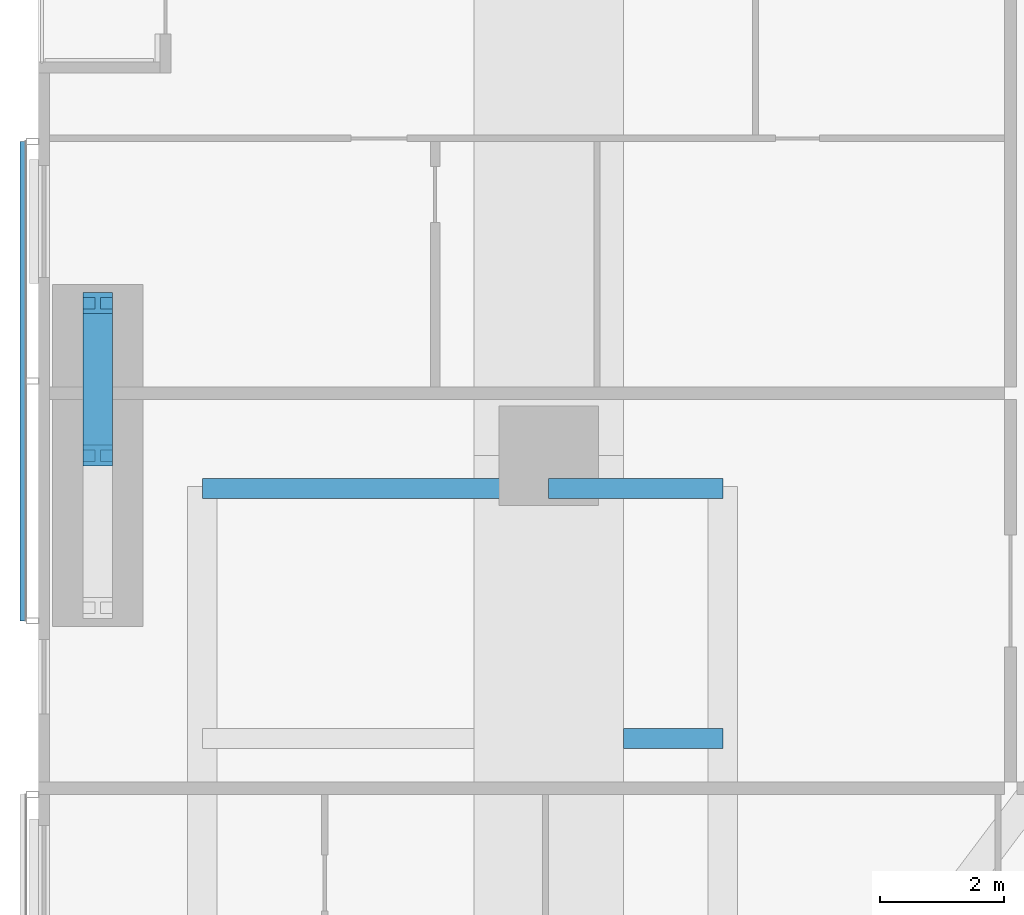
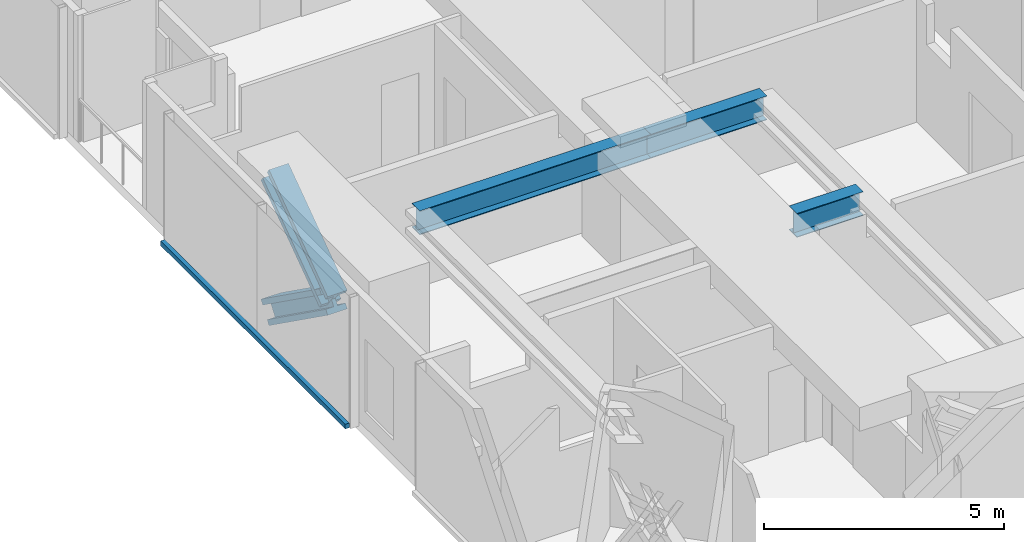
# One storey, part 3 of 22: 3 beams, 3 members, 1 element without a shape of its own.
"""IFC4 building model written with IfcOpenShell, lengths in metres."""

from ifc_helpers import new_model, si_unit, direction, frame, origin, origin_2d, place, context, subcontext, project, spatial, rectangle, i_section, extrude, material, material_profile, profile_set, type_object, element, aggregate, save


model = new_model("IFC4")

# Units and contexts
model_context = context("Model", 3, precision=1e-05, world=origin(), true_north=direction((0.0, 1.0)))
body_context = subcontext(model_context, "Body", "Model", "MODEL_VIEW")
ifc_project = project(units=[si_unit("LENGTHUNIT", "METRE"), si_unit("AREAUNIT", "SQUARE_METRE"), si_unit("VOLUMEUNIT", "CUBIC_METRE"), si_unit("PLANEANGLEUNIT", "RADIAN"), si_unit("MASSUNIT", "GRAM", prefix="KILO")], contexts=[model_context])

# Site, building, storey
site_placement = place(None, origin())
site = spatial("IfcSite", under=ifc_project, at=site_placement, CompositionType="ELEMENT")
building_placement = place(site_placement, origin())
building = spatial("IfcBuilding", under=site, at=building_placement, Name="Jalousie Tower", CompositionType="ELEMENT")
storey_placement = place(building_placement, frame((0.0, 0.0, 71.25)))
storey = spatial("IfcBuildingStorey", under=building, at=storey_placement, Name="L19", CompositionType="ELEMENT", Elevation=71.25)

# Members
ifc_material_1 = material(Name="Steel ASTM A992 Grade 50", Category="steel")
ifc_material_profile_1 = material_profile(ifc_material_1, i_section(OverallWidth=0.472412109375, OverallDepth=0.5791015625, WebThickness=0.094970703125, FlangeThickness=0.1298828125, at=origin_2d()), Name="W14X808")
ifc_profile_set_1 = profile_set([ifc_material_profile_1], Name="Steel ASTM A992 Grade 50")
member_type_1 = type_object("IfcMemberType", Name="PERIMETER BRACE W14X808", PredefinedType="BRACE", material=ifc_profile_set_1)
for number, where, z_axis, x_axis, name in (
    (1, (2.949951171875, 13.0, 1.14990234375), (0.0, 0.813727992185, 0.581245864273), (-1.0, 0.0, 0.0), "Perimeter brace 14 L19 part 2"),
    (2, (2.949951171875, 15.449951171875, -0.60009765625), (0.0, -0.813727992185, 0.581245864273), (1.0, 0.0, 0.0), "Perimeter brace 14 L19 part 3"),
):
    element("IfcMember", number, at=place(storey_placement, frame(where, z_axis=z_axis, x_axis=x_axis)), inside=storey, type_object=member_type_1, Name=name, PredefinedType="BRACE", context=body_context, shape_type="SweptSolid", body=[
        extrude(i_section(OverallWidth=0.472412109375, OverallDepth=0.5791015625, WebThickness=0.094970703125, FlangeThickness=0.1298828125, at=origin_2d()), origin(), (0.0, 0.0, 1.0), 3.0107421875),
    ])

# Beams
ifc_material_2 = material(Name="Steel ASTM A992 Grade 50", Category="steel")
ifc_material_profile_2 = material_profile(ifc_material_2, i_section(OverallWidth=0.3251953125, OverallDepth=0.612060546875, WebThickness=0.0126953125, FlangeThickness=0.01904296875, at=origin_2d()), Name="W24X104")
ifc_profile_set_2 = profile_set([ifc_material_profile_2], Name="Steel ASTM A992 Grade 50")
beam_type = type_object("IfcBeamType", Name="PLANT FLOOR BEAM W24X104", PredefinedType="BEAM", material=ifc_profile_set_2)
beam_1_placement = place(storey_placement, frame((11.39990234375, 8.449951171875, 2.913818359375), z_axis=(1.0, 0.0, 0.0), x_axis=(0.0, 1.0, 0.0)))
element("IfcBeam", 3, at=beam_1_placement, inside=storey, type_object=beam_type, Name="Plant floor beam under Electrical plant room L20", PredefinedType="BEAM", context=body_context, shape_type="SweptSolid", body=[
    extrude(i_section(OverallWidth=0.3251953125, OverallDepth=0.612060546875, WebThickness=0.0126953125, FlangeThickness=0.01904296875, at=origin_2d()), origin(), (0.0, 0.0, 1.0), 1.60009765625),
])
beam_2_placement = place(storey_placement, frame((4.63134765625, 12.469970703125, 2.913818359375), z_axis=(1.0, 0.0, 0.0), x_axis=(0.0, 1.0, 0.0)))
element("IfcBeam", 4, at=beam_2_placement, inside=storey, type_object=beam_type, Name="Plant floor beam under Electrical plant room L20", PredefinedType="BEAM", context=body_context, shape_type="SweptSolid", body=[
    extrude(i_section(OverallWidth=0.3251953125, OverallDepth=0.612060546875, WebThickness=0.0126953125, FlangeThickness=0.01904296875, at=origin_2d()), origin(), (0.0, 0.0, 1.0), 5.568603515625),
])
beam_3_placement = place(storey_placement, frame((10.199951171875, 12.469970703125, 2.913818359375), z_axis=(1.0, 0.0, 0.0), x_axis=(0.0, 1.0, 0.0)))
element("IfcBeam", 5, at=beam_3_placement, inside=storey, type_object=beam_type, Name="Plant floor beam under Electrical plant room L20", PredefinedType="BEAM", context=body_context, shape_type="SweptSolid", body=[
    extrude(i_section(OverallWidth=0.3251953125, OverallDepth=0.612060546875, WebThickness=0.0126953125, FlangeThickness=0.01904296875, at=origin_2d()), origin(), (0.0, 0.0, 1.0), 2.800048828125),
])

# Curtain wall, member
ifc_material_3 = material(Name="Perforated aluminium sheet", Category="aluminium")
curtain_wall_type = type_object("IfcCurtainWallType", Name="SOLAR SCREEN SS-2", PredefinedType="USERDEFINED", material=ifc_material_3)
curtain_wall_placement = place(storey_placement, origin())
curtain_wall = element("IfcCurtainWall", 6, at=curtain_wall_placement, inside=storey, type_object=curtain_wall_type, Name="Solar screen L19", ObjectType="SOLAR SCREEN SS-2", PredefinedType="USERDEFINED")
ifc_material_4 = material(Name="Extruded aluminium screen rail", Category="aluminium")
ifc_material_profile_3 = material_profile(ifc_material_4, rectangle(XDim=0.1015625, YDim=0.1201171875, at=origin_2d()), Name="RAIL 102x120")
ifc_profile_set_3 = profile_set([ifc_material_profile_3], Name="Extruded aluminium screen rail")
member_type_2 = type_object("IfcMemberType", Name="SOLAR SCREEN SS-2 TRANSOM", PredefinedType="USERDEFINED", material=ifc_profile_set_3)
member_placement = place(storey_placement, frame((1.7509765625, 18.050048828125, -0.06005859375), z_axis=(0.0, -1.0, 0.0), x_axis=(1.0, 0.0, 0.0)))
member = element("IfcMember", 7, at=member_placement, type_object=member_type_2, Name="SS2 rail", ObjectType="TRANSOM", PredefinedType="USERDEFINED", context=body_context, shape_type="SweptSolid", body=[
    extrude(rectangle(XDim=0.1015625, YDim=0.1201171875, at=origin_2d()), origin(), (0.0, 0.0, 1.0), 7.706298828125),
])
aggregate(curtain_wall, [member])

save(model, "model.ifc")
